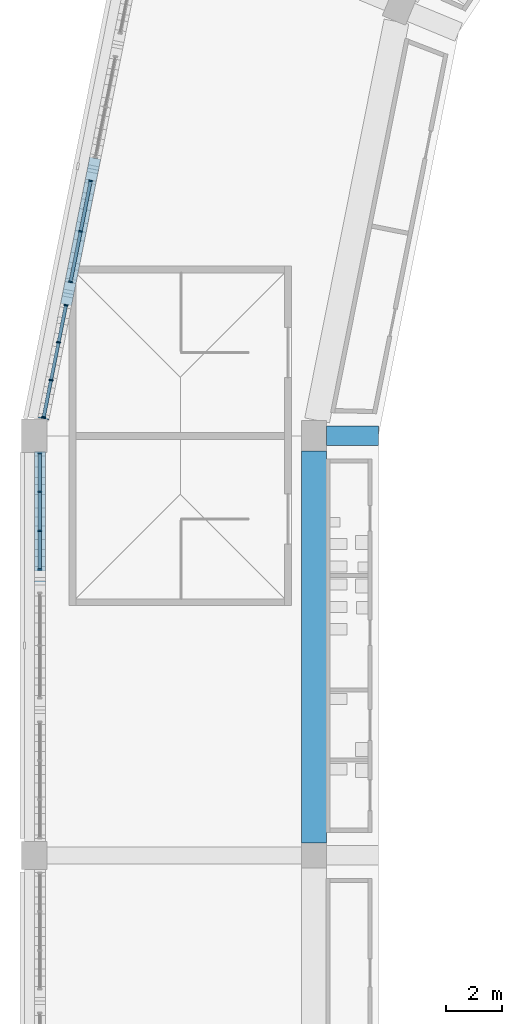
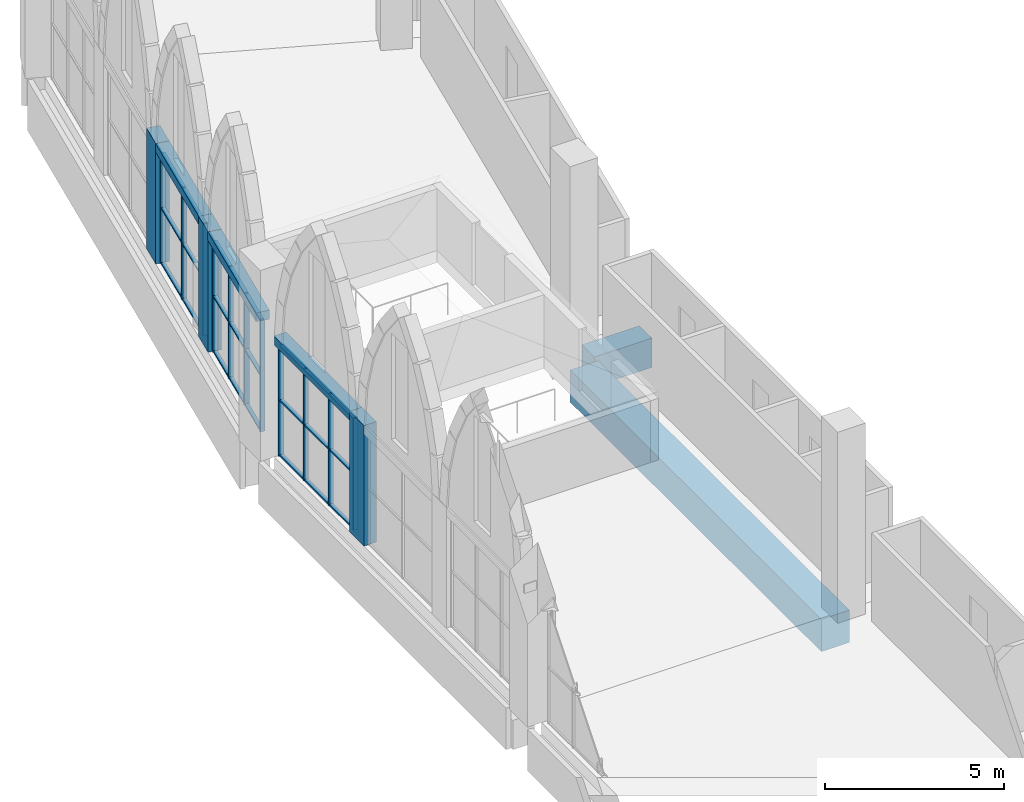
# One storey, part 30 of 130: 38 members, 5 beams, 3 elements without a shape of their own.
"""IFC4 building model written with IfcOpenShell, lengths in metres."""

from ifc_helpers import new_model, si_unit, direction, frame, origin, origin_2d, place, context, subcontext, project, spatial, rectangle, extrude, material, material_profile, profile_set, type_object, element, aggregate, save


model = new_model("IFC4")

# Units and contexts
model_context = context("Model", 3, precision=1e-05, world=origin(), true_north=direction((0.0, 1.0)))
body_context = subcontext(model_context, "Body", "Model", "MODEL_VIEW")
ifc_project = project(units=[si_unit("LENGTHUNIT", "METRE"), si_unit("AREAUNIT", "SQUARE_METRE"), si_unit("VOLUMEUNIT", "CUBIC_METRE"), si_unit("PLANEANGLEUNIT", "RADIAN"), si_unit("MASSUNIT", "GRAM", prefix="KILO")], contexts=[model_context])

# Site, building, storey
site_placement = place(None, origin())
site = spatial("IfcSite", under=ifc_project, at=site_placement, CompositionType="ELEMENT")
building_placement = place(site_placement, origin())
building = spatial("IfcBuilding", under=site, at=building_placement, Name="Ogive Plaza Stadium", CompositionType="ELEMENT")
storey_placement = place(building_placement, frame((0.0, 0.0, 22.5)))
storey = spatial("IfcBuildingStorey", under=building, at=storey_placement, Name="L05", CompositionType="ELEMENT", Elevation=22.5)

# Curtain wall, members
ifc_material_1 = material(Name="Bronze-anodised aluminium with laminated glass", Category="aluminium")
curtain_wall_type = type_object("IfcCurtainWallType", Name="Lancet curtain wall", PredefinedType="NOTDEFINED", material=ifc_material_1)
curtain_wall_1_placement = place(storey_placement, origin())
curtain_wall_1 = element("IfcCurtainWall", 1, at=curtain_wall_1_placement, inside=storey, type_object=curtain_wall_type, Name="CURTAIN WALL B27 L05", PredefinedType="NOTDEFINED")
ifc_material_2 = material(Name="Bronze-anodised aluminium", Category="aluminium")
ifc_material_profile_1 = material_profile(ifc_material_2, rectangle(XDim=0.14990234375, YDim=0.050048828125, at=origin_2d()), Name="AL 150x50")
ifc_profile_set_1 = profile_set([ifc_material_profile_1], Name="Bronze-anodised aluminium")
member_type_1 = type_object("IfcMemberType", Name="Curtain wall mullion 50x150", PredefinedType="MULLION", material=ifc_profile_set_1)
member_1_placement = place(storey_placement, frame((-83.800048828125, 47.72509765625, 0.0), z_axis=(0.0, 0.0, 1.0), x_axis=(-1.0, 0.0, 0.0)))
member_1 = element("IfcMember", 2, at=member_1_placement, type_object=member_type_1, Name="CW-B27-L05.3 mullion 1", PredefinedType="MULLION", context=body_context, shape_type="SweptSolid", body=[
    extrude(rectangle(XDim=0.14990234375, YDim=0.050048828125, at=origin_2d()), origin(), (0.0, 0.0, 1.0), 3.800048828125),
])
member_2_placement = place(storey_placement, frame((-83.800048828125, 49.10009765625, 0.0), z_axis=(0.0, 0.0, 1.0), x_axis=(-1.0, 0.0, 0.0)))
member_2 = element("IfcMember", 3, at=member_2_placement, type_object=member_type_1, Name="CW-B27-L05.3 mullion 2", PredefinedType="MULLION", context=body_context, shape_type="SweptSolid", body=[
    extrude(rectangle(XDim=0.14990234375, YDim=0.050048828125, at=origin_2d()), origin(), (0.0, 0.0, 1.0), 3.800048828125),
])
member_3_placement = place(storey_placement, frame((-83.800048828125, 50.5, 0.0), z_axis=(0.0, 0.0, 1.0), x_axis=(-1.0, 0.0, 0.0)))
member_3 = element("IfcMember", 4, at=member_3_placement, type_object=member_type_1, Name="CW-B27-L05.3 mullion 3", PredefinedType="MULLION", context=body_context, shape_type="SweptSolid", body=[
    extrude(rectangle(XDim=0.14990234375, YDim=0.050048828125, at=origin_2d()), origin(), (0.0, 0.0, 1.0), 3.800048828125),
])
member_4_placement = place(storey_placement, frame((-83.800048828125, 51.875, 0.0), z_axis=(0.0, 0.0, 1.0), x_axis=(-1.0, 0.0, 0.0)))
member_4 = element("IfcMember", 5, at=member_4_placement, type_object=member_type_1, Name="CW-B27-L05.3 mullion 4", PredefinedType="MULLION", context=body_context, shape_type="SweptSolid", body=[
    extrude(rectangle(XDim=0.14990234375, YDim=0.050048828125, at=origin_2d()), origin(), (0.0, 0.0, 1.0), 3.800048828125),
])

curtain_wall_2_placement = place(storey_placement, origin())
curtain_wall_2 = element("IfcCurtainWall", 6, at=curtain_wall_2_placement, inside=storey, type_object=curtain_wall_type, Name="CURTAIN WALL B28 L05", PredefinedType="NOTDEFINED")
member_5_placement = place(storey_placement, frame((-83.6640625, 53.16357421875, 0.0), z_axis=(0.0, 0.0, 1.0), x_axis=(-0.980785280403, 0.195090322016, 0.0)))
member_5 = element("IfcMember", 7, at=member_5_placement, type_object=member_type_1, Name="CW-B28-L05.1 mullion 1", PredefinedType="MULLION", context=body_context, shape_type="SweptSolid", body=[
    extrude(rectangle(XDim=0.14990234375, YDim=0.050048828125, at=origin_2d()), origin(), (0.0, 0.0, 1.0), 3.800048828125),
])
member_6_placement = place(storey_placement, frame((-83.400390625, 54.48974609375, 0.0), z_axis=(0.0, 0.0, 1.0), x_axis=(-0.980785280403, 0.195090322016, 0.0)))
member_6 = element("IfcMember", 8, at=member_6_placement, type_object=member_type_1, Name="CW-B28-L05.1 mullion 2", PredefinedType="MULLION", context=body_context, shape_type="SweptSolid", body=[
    extrude(rectangle(XDim=0.14990234375, YDim=0.050048828125, at=origin_2d()), origin(), (0.0, 0.0, 1.0), 3.800048828125),
])
member_7_placement = place(storey_placement, frame((-83.131591796875, 55.840576171875, 0.0), z_axis=(0.0, 0.0, 1.0), x_axis=(-0.980785280403, 0.195090322016, 0.0)))
member_7 = element("IfcMember", 9, at=member_7_placement, type_object=member_type_1, Name="CW-B28-L05.1 mullion 3", PredefinedType="MULLION", context=body_context, shape_type="SweptSolid", body=[
    extrude(rectangle(XDim=0.14990234375, YDim=0.050048828125, at=origin_2d()), origin(), (0.0, 0.0, 1.0), 3.800048828125),
])
member_8_placement = place(storey_placement, frame((-82.867919921875, 57.166748046875, 0.0), z_axis=(0.0, 0.0, 1.0), x_axis=(-0.980785280403, 0.195090322016, 0.0)))
member_8 = element("IfcMember", 10, at=member_8_placement, type_object=member_type_1, Name="CW-B28-L05.1 mullion 4", PredefinedType="MULLION", context=body_context, shape_type="SweptSolid", body=[
    extrude(rectangle(XDim=0.14990234375, YDim=0.050048828125, at=origin_2d()), origin(), (0.0, 0.0, 1.0), 3.800048828125),
])

curtain_wall_3_placement = place(storey_placement, origin())
curtain_wall_3 = element("IfcCurtainWall", 11, at=curtain_wall_3_placement, inside=storey, type_object=curtain_wall_type, Name="CURTAIN WALL B28 L05", PredefinedType="NOTDEFINED")
member_9_placement = place(storey_placement, frame((-82.701904296875, 58.00048828125, 0.0), z_axis=(0.0, 0.0, 1.0), x_axis=(-0.980785280417, 0.195090321948, 0.0)))
member_9 = element("IfcMember", 12, at=member_9_placement, type_object=member_type_1, Name="CW-B28-L05.2 mullion 1", PredefinedType="MULLION", context=body_context, shape_type="SweptSolid", body=[
    extrude(rectangle(XDim=0.14990234375, YDim=0.050048828125, at=origin_2d()), origin(), (0.0, 0.0, 1.0), 3.800048828125),
])
member_10_placement = place(storey_placement, frame((-82.3427734375, 59.805908203125, 0.0), z_axis=(0.0, 0.0, 1.0), x_axis=(-0.980785280417, 0.195090321948, 0.0)))
member_10 = element("IfcMember", 13, at=member_10_placement, type_object=member_type_1, Name="CW-B28-L05.2 mullion 2", PredefinedType="MULLION", context=body_context, shape_type="SweptSolid", body=[
    extrude(rectangle(XDim=0.14990234375, YDim=0.050048828125, at=origin_2d()), origin(), (0.0, 0.0, 1.0), 3.800048828125),
])
member_11_placement = place(storey_placement, frame((-81.983642578125, 61.611328125, 0.0), z_axis=(0.0, 0.0, 1.0), x_axis=(-0.980785280417, 0.195090321948, 0.0)))
member_11 = element("IfcMember", 14, at=member_11_placement, type_object=member_type_1, Name="CW-B28-L05.2 mullion 3", PredefinedType="MULLION", context=body_context, shape_type="SweptSolid", body=[
    extrude(rectangle(XDim=0.14990234375, YDim=0.050048828125, at=origin_2d()), origin(), (0.0, 0.0, 1.0), 3.800048828125),
])

# Member
ifc_material_3 = material(Name="Bronze-anodised aluminium", Category="aluminium")
ifc_material_profile_2 = material_profile(ifc_material_3, rectangle(XDim=0.1201171875, YDim=0.050048828125, at=origin_2d()), Name="AL 120x50")
ifc_profile_set_2 = profile_set([ifc_material_profile_2], Name="Bronze-anodised aluminium")
member_type_2 = type_object("IfcMemberType", Name="Curtain wall transom 50x120", PredefinedType="USERDEFINED", material=ifc_profile_set_2)
member_12_placement = place(storey_placement, frame((-83.800048828125, 47.75, 0.02490234375), z_axis=(0.0, 1.0, 0.0), x_axis=(-1.0, 0.0, 0.0)))
member_12 = element("IfcMember", 15, at=member_12_placement, type_object=member_type_2, Name="CW-B27-L05.3 transom 1.1", ObjectType="TRANSOM", PredefinedType="USERDEFINED", context=body_context, shape_type="SweptSolid", body=[
    extrude(rectangle(XDim=0.1201171875, YDim=0.050048828125, at=origin_2d()), origin(), (0.0, 0.0, 1.0), 1.324951171875),
])

member_13_placement = place(storey_placement, frame((-83.800048828125, 47.75, 1.89990234375), z_axis=(0.0, 1.0, 0.0), x_axis=(-1.0, 0.0, 0.0)))
member_13 = element("IfcMember", 16, at=member_13_placement, type_object=member_type_2, Name="CW-B27-L05.3 transom 1.2", ObjectType="TRANSOM", PredefinedType="USERDEFINED", context=body_context, shape_type="SweptSolid", body=[
    extrude(rectangle(XDim=0.1201171875, YDim=0.050048828125, at=origin_2d()), origin(), (0.0, 0.0, 1.0), 1.324951171875),
])

member_14_placement = place(storey_placement, frame((-83.800048828125, 47.75, 3.77490234375), z_axis=(0.0, 1.0, 0.0), x_axis=(-1.0, 0.0, 0.0)))
member_14 = element("IfcMember", 17, at=member_14_placement, type_object=member_type_2, Name="CW-B27-L05.3 transom 1.3", ObjectType="TRANSOM", PredefinedType="USERDEFINED", context=body_context, shape_type="SweptSolid", body=[
    extrude(rectangle(XDim=0.1201171875, YDim=0.050048828125, at=origin_2d()), origin(), (0.0, 0.0, 1.0), 1.324951171875),
])

member_15_placement = place(storey_placement, frame((-83.800048828125, 49.125, 0.02490234375), z_axis=(0.0, 1.0, 0.0), x_axis=(-1.0, 0.0, 0.0)))
member_15 = element("IfcMember", 18, at=member_15_placement, type_object=member_type_2, Name="CW-B27-L05.3 transom 2.1", ObjectType="TRANSOM", PredefinedType="USERDEFINED", context=body_context, shape_type="SweptSolid", body=[
    extrude(rectangle(XDim=0.1201171875, YDim=0.050048828125, at=origin_2d()), origin(), (0.0, 0.0, 1.0), 1.35009765625),
])

member_16_placement = place(storey_placement, frame((-83.800048828125, 49.125, 1.89990234375), z_axis=(0.0, 1.0, 0.0), x_axis=(-1.0, 0.0, 0.0)))
member_16 = element("IfcMember", 19, at=member_16_placement, type_object=member_type_2, Name="CW-B27-L05.3 transom 2.2", ObjectType="TRANSOM", PredefinedType="USERDEFINED", context=body_context, shape_type="SweptSolid", body=[
    extrude(rectangle(XDim=0.1201171875, YDim=0.050048828125, at=origin_2d()), origin(), (0.0, 0.0, 1.0), 1.35009765625),
])

member_17_placement = place(storey_placement, frame((-83.800048828125, 49.125, 3.77490234375), z_axis=(0.0, 1.0, 0.0), x_axis=(-1.0, 0.0, 0.0)))
member_17 = element("IfcMember", 20, at=member_17_placement, type_object=member_type_2, Name="CW-B27-L05.3 transom 2.3", ObjectType="TRANSOM", PredefinedType="USERDEFINED", context=body_context, shape_type="SweptSolid", body=[
    extrude(rectangle(XDim=0.1201171875, YDim=0.050048828125, at=origin_2d()), origin(), (0.0, 0.0, 1.0), 1.35009765625),
])

member_18_placement = place(storey_placement, frame((-83.800048828125, 50.52490234375, 0.02490234375), z_axis=(0.0, 1.0, 0.0), x_axis=(-1.0, 0.0, 0.0)))
member_18 = element("IfcMember", 21, at=member_18_placement, type_object=member_type_2, Name="CW-B27-L05.3 transom 3.1", ObjectType="TRANSOM", PredefinedType="USERDEFINED", context=body_context, shape_type="SweptSolid", body=[
    extrude(rectangle(XDim=0.1201171875, YDim=0.050048828125, at=origin_2d()), origin(), (0.0, 0.0, 1.0), 1.3251953125),
])

member_19_placement = place(storey_placement, frame((-83.800048828125, 50.52490234375, 1.89990234375), z_axis=(0.0, 1.0, 0.0), x_axis=(-1.0, 0.0, 0.0)))
member_19 = element("IfcMember", 22, at=member_19_placement, type_object=member_type_2, Name="CW-B27-L05.3 transom 3.2", ObjectType="TRANSOM", PredefinedType="USERDEFINED", context=body_context, shape_type="SweptSolid", body=[
    extrude(rectangle(XDim=0.1201171875, YDim=0.050048828125, at=origin_2d()), origin(), (0.0, 0.0, 1.0), 1.3251953125),
])

member_20_placement = place(storey_placement, frame((-83.800048828125, 50.52490234375, 3.77490234375), z_axis=(0.0, 1.0, 0.0), x_axis=(-1.0, 0.0, 0.0)))
member_20 = element("IfcMember", 23, at=member_20_placement, type_object=member_type_2, Name="CW-B27-L05.3 transom 3.3", ObjectType="TRANSOM", PredefinedType="USERDEFINED", context=body_context, shape_type="SweptSolid", body=[
    extrude(rectangle(XDim=0.1201171875, YDim=0.050048828125, at=origin_2d()), origin(), (0.0, 0.0, 1.0), 1.3251953125),
])

aggregate(curtain_wall_1, [member_1, member_2, member_3, member_4, member_12, member_13, member_14, member_15, member_16, member_17, member_18, member_19, member_20])

member_21_placement = place(storey_placement, frame((-83.6591796875, 53.18798828125, 0.02490234375), z_axis=(0.194962375892, 0.980810721794, 0.0), x_axis=(-0.980810721794, 0.194962375892, 0.0)))
member_21 = element("IfcMember", 24, at=member_21_placement, type_object=member_type_2, Name="CW-B28-L05.1 transom 1.1", ObjectType="TRANSOM", PredefinedType="USERDEFINED", context=body_context, shape_type="SweptSolid", body=[
    extrude(rectangle(XDim=0.1201171875, YDim=0.050048828125, at=origin_2d()), origin(), (0.0, 0.0, 1.0), 1.30224609375),
])

member_22_placement = place(storey_placement, frame((-83.6591796875, 53.18798828125, 1.89990234375), z_axis=(0.194962375892, 0.980810721794, 0.0), x_axis=(-0.980810721794, 0.194962375892, 0.0)))
member_22 = element("IfcMember", 25, at=member_22_placement, type_object=member_type_2, Name="CW-B28-L05.1 transom 1.2", ObjectType="TRANSOM", PredefinedType="USERDEFINED", context=body_context, shape_type="SweptSolid", body=[
    extrude(rectangle(XDim=0.1201171875, YDim=0.050048828125, at=origin_2d()), origin(), (0.0, 0.0, 1.0), 1.30224609375),
])

member_23_placement = place(storey_placement, frame((-83.6591796875, 53.18798828125, 3.77490234375), z_axis=(0.194962375892, 0.980810721794, 0.0), x_axis=(-0.980810721794, 0.194962375892, 0.0)))
member_23 = element("IfcMember", 26, at=member_23_placement, type_object=member_type_2, Name="CW-B28-L05.1 transom 1.3", ObjectType="TRANSOM", PredefinedType="USERDEFINED", context=body_context, shape_type="SweptSolid", body=[
    extrude(rectangle(XDim=0.1201171875, YDim=0.050048828125, at=origin_2d()), origin(), (0.0, 0.0, 1.0), 1.30224609375),
])

member_24_placement = place(storey_placement, frame((-83.3955078125, 54.51416015625, 0.02490234375), z_axis=(0.195160965974, 0.980771225801, 0.0), x_axis=(-0.980771225801, 0.195160965974, 0.0)))
member_24 = element("IfcMember", 27, at=member_24_placement, type_object=member_type_2, Name="CW-B28-L05.1 transom 2.1", ObjectType="TRANSOM", PredefinedType="USERDEFINED", context=body_context, shape_type="SweptSolid", body=[
    extrude(rectangle(XDim=0.1201171875, YDim=0.050048828125, at=origin_2d()), origin(), (0.0, 0.0, 1.0), 1.327392578125),
])

member_25_placement = place(storey_placement, frame((-83.3955078125, 54.51416015625, 1.89990234375), z_axis=(0.195160965974, 0.980771225801, 0.0), x_axis=(-0.980771225801, 0.195160965974, 0.0)))
member_25 = element("IfcMember", 28, at=member_25_placement, type_object=member_type_2, Name="CW-B28-L05.1 transom 2.2", ObjectType="TRANSOM", PredefinedType="USERDEFINED", context=body_context, shape_type="SweptSolid", body=[
    extrude(rectangle(XDim=0.1201171875, YDim=0.050048828125, at=origin_2d()), origin(), (0.0, 0.0, 1.0), 1.327392578125),
])

member_26_placement = place(storey_placement, frame((-83.3955078125, 54.51416015625, 3.77490234375), z_axis=(0.195160965974, 0.980771225801, 0.0), x_axis=(-0.980771225801, 0.195160965974, 0.0)))
member_26 = element("IfcMember", 29, at=member_26_placement, type_object=member_type_2, Name="CW-B28-L05.1 transom 2.3", ObjectType="TRANSOM", PredefinedType="USERDEFINED", context=body_context, shape_type="SweptSolid", body=[
    extrude(rectangle(XDim=0.1201171875, YDim=0.050048828125, at=origin_2d()), origin(), (0.0, 0.0, 1.0), 1.327392578125),
])

member_27_placement = place(storey_placement, frame((-83.126708984375, 55.864990234375, 0.02490234375), z_axis=(0.194998229409, 0.980803594267, 0.0), x_axis=(-0.980803594267, 0.194998229409, 0.0)))
member_27 = element("IfcMember", 30, at=member_27_placement, type_object=member_type_2, Name="CW-B28-L05.1 transom 3.1", ObjectType="TRANSOM", PredefinedType="USERDEFINED", context=body_context, shape_type="SweptSolid", body=[
    extrude(rectangle(XDim=0.1201171875, YDim=0.050048828125, at=origin_2d()), origin(), (0.0, 0.0, 1.0), 1.302001953125),
])

member_28_placement = place(storey_placement, frame((-83.126708984375, 55.864990234375, 1.89990234375), z_axis=(0.194998229409, 0.980803594267, 0.0), x_axis=(-0.980803594267, 0.194998229409, 0.0)))
member_28 = element("IfcMember", 31, at=member_28_placement, type_object=member_type_2, Name="CW-B28-L05.1 transom 3.2", ObjectType="TRANSOM", PredefinedType="USERDEFINED", context=body_context, shape_type="SweptSolid", body=[
    extrude(rectangle(XDim=0.1201171875, YDim=0.050048828125, at=origin_2d()), origin(), (0.0, 0.0, 1.0), 1.302001953125),
])

member_29_placement = place(storey_placement, frame((-83.126708984375, 55.864990234375, 3.77490234375), z_axis=(0.194998229409, 0.980803594267, 0.0), x_axis=(-0.980803594267, 0.194998229409, 0.0)))
member_29 = element("IfcMember", 32, at=member_29_placement, type_object=member_type_2, Name="CW-B28-L05.1 transom 3.3", ObjectType="TRANSOM", PredefinedType="USERDEFINED", context=body_context, shape_type="SweptSolid", body=[
    extrude(rectangle(XDim=0.1201171875, YDim=0.050048828125, at=origin_2d()), origin(), (0.0, 0.0, 1.0), 1.302001953125),
])

aggregate(curtain_wall_2, [member_5, member_6, member_7, member_8, member_21, member_22, member_23, member_24, member_25, member_26, member_27, member_28, member_29])

member_30_placement = place(storey_placement, frame((-82.697021484375, 58.02490234375, 0.02490234375), z_axis=(0.195093525761, 0.980784643133, 0.0), x_axis=(-0.980784643133, 0.195093525761, 0.0)))
member_30 = element("IfcMember", 33, at=member_30_placement, type_object=member_type_2, Name="CW-B28-L05.2 transom 1.1", ObjectType="TRANSOM", PredefinedType="USERDEFINED", context=body_context, shape_type="SweptSolid", body=[
    extrude(rectangle(XDim=0.1201171875, YDim=0.050048828125, at=origin_2d()), origin(), (0.0, 0.0, 1.0), 1.790771484375),
])

member_31_placement = place(storey_placement, frame((-82.697021484375, 58.02490234375, 1.89990234375), z_axis=(0.195093525761, 0.980784643133, 0.0), x_axis=(-0.980784643133, 0.195093525761, 0.0)))
member_31 = element("IfcMember", 34, at=member_31_placement, type_object=member_type_2, Name="CW-B28-L05.2 transom 1.2", ObjectType="TRANSOM", PredefinedType="USERDEFINED", context=body_context, shape_type="SweptSolid", body=[
    extrude(rectangle(XDim=0.1201171875, YDim=0.050048828125, at=origin_2d()), origin(), (0.0, 0.0, 1.0), 1.790771484375),
])

member_32_placement = place(storey_placement, frame((-82.697021484375, 58.02490234375, 3.77490234375), z_axis=(0.195093525761, 0.980784643133, 0.0), x_axis=(-0.980784643133, 0.195093525761, 0.0)))
member_32 = element("IfcMember", 35, at=member_32_placement, type_object=member_type_2, Name="CW-B28-L05.2 transom 1.3", ObjectType="TRANSOM", PredefinedType="USERDEFINED", context=body_context, shape_type="SweptSolid", body=[
    extrude(rectangle(XDim=0.1201171875, YDim=0.050048828125, at=origin_2d()), origin(), (0.0, 0.0, 1.0), 1.790771484375),
])

member_33_placement = place(storey_placement, frame((-82.337890625, 59.830322265625, 0.02490234375), z_axis=(0.195093525761, 0.980784643133, 0.0), x_axis=(-0.980784643133, 0.195093525761, 0.0)))
member_33 = element("IfcMember", 36, at=member_33_placement, type_object=member_type_2, Name="CW-B28-L05.2 transom 2.1", ObjectType="TRANSOM", PredefinedType="USERDEFINED", context=body_context, shape_type="SweptSolid", body=[
    extrude(rectangle(XDim=0.1201171875, YDim=0.050048828125, at=origin_2d()), origin(), (0.0, 0.0, 1.0), 1.790771484375),
])

member_34_placement = place(storey_placement, frame((-82.337890625, 59.830322265625, 1.89990234375), z_axis=(0.195093525761, 0.980784643133, 0.0), x_axis=(-0.980784643133, 0.195093525761, 0.0)))
member_34 = element("IfcMember", 37, at=member_34_placement, type_object=member_type_2, Name="CW-B28-L05.2 transom 2.2", ObjectType="TRANSOM", PredefinedType="USERDEFINED", context=body_context, shape_type="SweptSolid", body=[
    extrude(rectangle(XDim=0.1201171875, YDim=0.050048828125, at=origin_2d()), origin(), (0.0, 0.0, 1.0), 1.790771484375),
])

member_35_placement = place(storey_placement, frame((-82.337890625, 59.830322265625, 3.77490234375), z_axis=(0.195093525761, 0.980784643133, 0.0), x_axis=(-0.980784643133, 0.195093525761, 0.0)))
member_35 = element("IfcMember", 38, at=member_35_placement, type_object=member_type_2, Name="CW-B28-L05.2 transom 2.3", ObjectType="TRANSOM", PredefinedType="USERDEFINED", context=body_context, shape_type="SweptSolid", body=[
    extrude(rectangle(XDim=0.1201171875, YDim=0.050048828125, at=origin_2d()), origin(), (0.0, 0.0, 1.0), 1.790771484375),
])

aggregate(curtain_wall_3, [member_9, member_10, member_11, member_30, member_31, member_32, member_33, member_34, member_35])

# Members
ifc_material_4 = material(Name="Concrete C45/55 precast", Category="concrete")
ifc_material_profile_3 = material_profile(ifc_material_4, rectangle(XDim=0.39990234375, YDim=0.800048828125, at=origin_2d()), Name="RC 400x800")
ifc_profile_set_3 = profile_set([ifc_material_profile_3], Name="Concrete C45/55 precast")
member_type_3 = type_object("IfcMemberType", Name="Precast colonette 800x400", PredefinedType="POST", material=ifc_profile_set_3)
for number, where, z_axis, x_axis, name in (
    (39, (-83.800048828125, 47.300048828125, 0.0), (0.0, 0.0, 1.0), (-1.0, 0.0, 0.0), "COLONETTE B27 2"),
    (40, (-82.784912109375, 57.58349609375, 0.0), (0.0, 0.0, 1.0), (-0.980785280403, 0.195090322016, 0.0), "COLONETTE B28 1"),
    (41, (-81.90087890625, 62.028076171875, 0.0), (0.0, 0.0, 1.0), (-0.980785280403, 0.195090322016, 0.0), "COLONETTE B28 2"),
):
    element("IfcMember", number, at=place(storey_placement, frame(where, z_axis=z_axis, x_axis=x_axis)), inside=storey, type_object=member_type_3, Name=name, PredefinedType="POST", context=body_context, shape_type="SweptSolid", body=[
        extrude(rectangle(XDim=0.39990234375, YDim=0.800048828125, at=origin_2d()), origin(), (0.0, 0.0, 1.0), 4.10009765625),
    ])

# Beams
ifc_material_5 = material(Name="Concrete C45/55 precast", Category="concrete")
ifc_material_profile_4 = material_profile(ifc_material_5, rectangle(XDim=0.39990234375, YDim=0.300048828125, at=origin_2d()), Name="RC 400x300")
ifc_profile_set_4 = profile_set([ifc_material_profile_4], Name="Concrete C45/55 precast")
beam_type_1 = type_object("IfcBeamType", Name="Precast tympanum lintel 400x300", PredefinedType="BEAM", material=ifc_profile_set_4)
beam_1_placement = place(storey_placement, frame((-83.800048828125, 47.669921875, 3.949951171875), z_axis=(0.0, 1.0, 0.0), x_axis=(-1.0, 0.0, 0.0)))
element("IfcBeam", 42, at=beam_1_placement, inside=storey, type_object=beam_type_1, Name="TYMPANUM LINTEL B27 3", PredefinedType="BEAM", context=body_context, shape_type="SweptSolid", body=[
    extrude(rectangle(XDim=0.39990234375, YDim=0.300048828125, at=origin_2d()), origin(), (0.0, 0.0, 1.0), 4.260009765625),
])
beam_2_placement = place(storey_placement, frame((-83.6748046875, 53.109619140625, 3.949951171875), z_axis=(0.195063128335, 0.980790689171, 0.0), x_axis=(-0.980790689171, 0.195063128335, 0.0)))
element("IfcBeam", 43, at=beam_2_placement, inside=storey, type_object=beam_type_1, Name="TYMPANUM LINTEL B28 1", PredefinedType="BEAM", context=body_context, shape_type="SweptSolid", body=[
    extrude(rectangle(XDim=0.39990234375, YDim=0.300048828125, at=origin_2d()), origin(), (0.0, 0.0, 1.0), 4.191650390625),
])
beam_3_placement = place(storey_placement, frame((-82.712646484375, 57.946533203125, 3.949951171875), z_axis=(0.195100654669, 0.980783225054, 0.0), x_axis=(-0.980783225054, 0.195100654669, 0.0)))
element("IfcBeam", 44, at=beam_3_placement, inside=storey, type_object=beam_type_1, Name="TYMPANUM LINTEL B28 2", PredefinedType="BEAM", context=body_context, shape_type="SweptSolid", body=[
    extrude(rectangle(XDim=0.39990234375, YDim=0.300048828125, at=origin_2d()), origin(), (0.0, 0.0, 1.0), 3.79150390625),
])
ifc_material_6 = material(Name="Concrete C40/50", Category="concrete")
ifc_material_profile_5 = material_profile(ifc_material_6, rectangle(XDim=0.699951171875, YDim=1.0, at=origin_2d()), Name="RC 700x1000")
ifc_profile_set_5 = profile_set([ifc_material_profile_5], Name="Concrete C40/50")
beam_type_2 = type_object("IfcBeamType", Name="RC radial beam 700x1000", PredefinedType="BEAM", material=ifc_profile_set_5)
beam_4_placement = place(storey_placement, frame((-71.699951171875, 52.5, -0.909912109375), z_axis=(-1.0, 0.0, 0.0), x_axis=(0.0, -1.0, 0.0)))
element("IfcBeam", 45, at=beam_4_placement, inside=storey, type_object=beam_type_2, Name="Raker tail beam UT R28", PredefinedType="BEAM", context=body_context, shape_type="SweptSolid", body=[
    extrude(rectangle(XDim=0.699951171875, YDim=1.0, at=origin_2d()), origin(), (0.0, 0.0, 1.0), 1.85009765625),
])
ifc_material_7 = material(Name="Concrete C40/50", Category="concrete")
ifc_material_profile_6 = material_profile(ifc_material_7, rectangle(XDim=0.89990234375, YDim=1.10009765625, at=origin_2d()), Name="RC 900x1100")
ifc_profile_set_6 = profile_set([ifc_material_profile_6], Name="Concrete C40/50")
beam_type_3 = type_object("IfcBeamType", Name="RC ring beam 900x1100", PredefinedType="BEAM", material=ifc_profile_set_6)
beam_5_placement = place(storey_placement, frame((-74.0, 37.949951171875, -0.9599609375), z_axis=(0.0, 1.0, 0.0), x_axis=(-1.0, 0.0, 0.0)))
element("IfcBeam", 46, at=beam_5_placement, inside=storey, type_object=beam_type_3, Name="Ring beam F4 L05 B27", PredefinedType="BEAM", context=body_context, shape_type="SweptSolid", body=[
    extrude(rectangle(XDim=0.89990234375, YDim=1.10009765625, at=origin_2d()), origin(), (0.0, 0.0, 1.0), 14.0),
])

save(model, "model.ifc")
